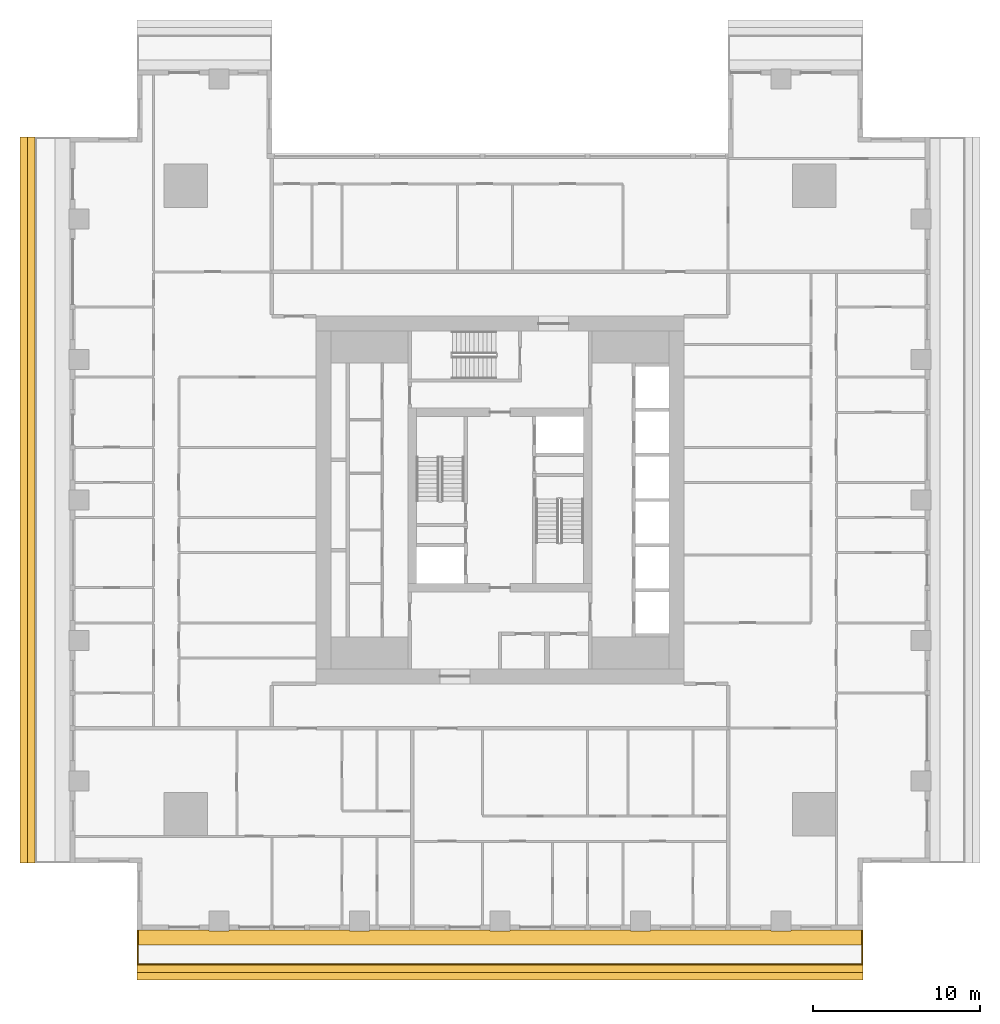
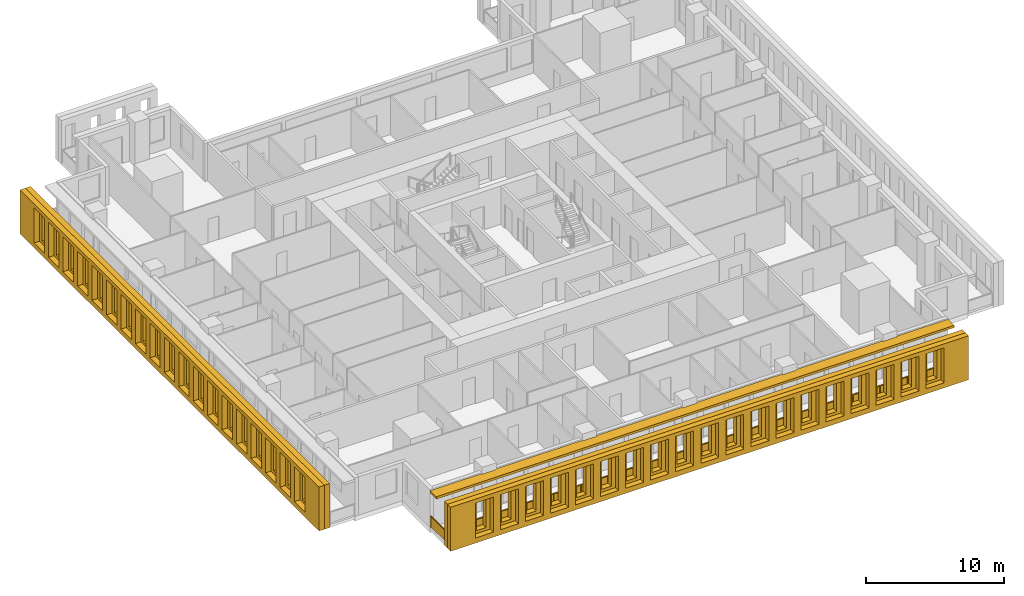
# One storey, part 11 of 16: 5 shading devices, 1 railing.
"""IFC4 building model written with IfcOpenShell, lengths in metres."""

from ifc_helpers import new_model, si_unit, direction, frame, origin, origin_2d, place, context, subcontext, project, spatial, polyline, rectangle, outline, extrude, material, layer, layer_set, type_object, element, save


model = new_model("IFC4")

# Units and contexts
model_context = context("Model", 3, precision=1e-05, world=origin(), true_north=direction((0.0, 1.0)))
body_context = subcontext(model_context, "Body", "Model", "MODEL_VIEW")
ifc_project = project(units=[si_unit("LENGTHUNIT", "METRE"), si_unit("AREAUNIT", "SQUARE_METRE"), si_unit("VOLUMEUNIT", "CUBIC_METRE"), si_unit("PLANEANGLEUNIT", "RADIAN"), si_unit("MASSUNIT", "GRAM", prefix="KILO")], contexts=[model_context])

# Site, building, storey
site_placement = place(None, origin())
site = spatial("IfcSite", under=ifc_project, at=site_placement, CompositionType="ELEMENT")
building_placement = place(site_placement, origin())
building = spatial("IfcBuilding", under=site, at=building_placement, Name="Khepri Terraces", CompositionType="ELEMENT")
storey_placement = place(building_placement, frame((0.0, 0.0, 176.699951171875)))
storey = spatial("IfcBuildingStorey", under=building, at=storey_placement, Name="L42", CompositionType="ELEMENT", Elevation=176.699951171875)

# Railing
ifc_material_1 = material(Name="Stainless steel grade 316", Category="steel")
railing_type = type_object("IfcRailingType", Name="GRD-BAL-1100", PredefinedType="GUARDRAIL", material=ifc_material_1)
railing_placement = place(storey_placement, frame((-21.669921875, -25.719970703125, 0.0)))
element("IfcRailing", 1, at=railing_placement, inside=storey, type_object=railing_type, Name="Balcony guard L42 S", PredefinedType="GUARDRAIL", context=body_context, shape_type="SweptSolid", body=[
    extrude(rectangle(XDim=0.050048828125, YDim=0.06005859375, at=origin_2d()), frame((0.0, 0.0, 1.070068359375), z_axis=(0.0, -1.0, 0.0), x_axis=(1.0, 0.0, 0.0)), (0.0, 0.0, 1.0), 2.050048828125),
    extrude(rectangle(XDim=2.0, YDim=0.011962890625, at=origin_2d()), frame((0.0, -1.02490234375, 0.10009765625), z_axis=(0.0, 0.0, 1.0), x_axis=(0.0, -1.0, 0.0)), (0.0, 0.0, 1.0), 0.93994140625),
    extrude(rectangle(XDim=0.050048828125, YDim=0.06005859375, at=origin_2d()), frame((0.0, -2.050048828125, 1.070068359375), z_axis=(1.0, 0.0, 0.0), x_axis=(0.0, 1.0, 0.0)), (0.0, 0.0, 1.0), 43.33984375),
    extrude(rectangle(XDim=2.23095703125, YDim=0.011962890625, at=origin_2d()), frame((1.140625, -2.050048828125, 0.10009765625), z_axis=(0.0, 0.0, 1.0), x_axis=(1.0, 0.0, 0.0)), (0.0, 0.0, 1.0), 0.93994140625),
    extrude(rectangle(XDim=2.23095703125, YDim=0.011962890625, at=origin_2d()), frame((3.421630859375, -2.050048828125, 0.10009765625), z_axis=(0.0, 0.0, 1.0), x_axis=(1.0, 0.0, 0.0)), (0.0, 0.0, 1.0), 0.93994140625),
    extrude(rectangle(XDim=2.23095703125, YDim=0.011962890625, at=origin_2d()), frame((5.70263671875, -2.050048828125, 0.10009765625), z_axis=(0.0, 0.0, 1.0), x_axis=(1.0, 0.0, 0.0)), (0.0, 0.0, 1.0), 0.93994140625),
    extrude(rectangle(XDim=2.23095703125, YDim=0.011962890625, at=origin_2d()), frame((7.983642578125, -2.050048828125, 0.10009765625), z_axis=(0.0, 0.0, 1.0), x_axis=(1.0, 0.0, 0.0)), (0.0, 0.0, 1.0), 0.93994140625),
    extrude(rectangle(XDim=2.23095703125, YDim=0.011962890625, at=origin_2d()), frame((10.2646484375, -2.050048828125, 0.10009765625), z_axis=(0.0, 0.0, 1.0), x_axis=(1.0, 0.0, 0.0)), (0.0, 0.0, 1.0), 0.93994140625),
    extrude(rectangle(XDim=2.23095703125, YDim=0.011962890625, at=origin_2d()), frame((12.545654296875, -2.050048828125, 0.10009765625), z_axis=(0.0, 0.0, 1.0), x_axis=(1.0, 0.0, 0.0)), (0.0, 0.0, 1.0), 0.93994140625),
    extrude(rectangle(XDim=2.23095703125, YDim=0.011962890625, at=origin_2d()), frame((14.826904296875, -2.050048828125, 0.10009765625), z_axis=(0.0, 0.0, 1.0), x_axis=(1.0, 0.0, 0.0)), (0.0, 0.0, 1.0), 0.93994140625),
    extrude(rectangle(XDim=2.23095703125, YDim=0.011962890625, at=origin_2d()), frame((17.10791015625, -2.050048828125, 0.10009765625), z_axis=(0.0, 0.0, 1.0), x_axis=(1.0, 0.0, 0.0)), (0.0, 0.0, 1.0), 0.93994140625),
    extrude(rectangle(XDim=2.23095703125, YDim=0.011962890625, at=origin_2d()), frame((19.388916015625, -2.050048828125, 0.10009765625), z_axis=(0.0, 0.0, 1.0), x_axis=(1.0, 0.0, 0.0)), (0.0, 0.0, 1.0), 0.93994140625),
    extrude(rectangle(XDim=2.23095703125, YDim=0.011962890625, at=origin_2d()), frame((21.669921875, -2.050048828125, 0.10009765625), z_axis=(0.0, 0.0, 1.0), x_axis=(1.0, 0.0, 0.0)), (0.0, 0.0, 1.0), 0.93994140625),
    extrude(rectangle(XDim=2.23095703125, YDim=0.011962890625, at=origin_2d()), frame((23.950927734375, -2.050048828125, 0.10009765625), z_axis=(0.0, 0.0, 1.0), x_axis=(1.0, 0.0, 0.0)), (0.0, 0.0, 1.0), 0.93994140625),
    extrude(rectangle(XDim=2.23095703125, YDim=0.011962890625, at=origin_2d()), frame((26.23193359375, -2.050048828125, 0.10009765625), z_axis=(0.0, 0.0, 1.0), x_axis=(1.0, 0.0, 0.0)), (0.0, 0.0, 1.0), 0.93994140625),
    extrude(rectangle(XDim=2.23095703125, YDim=0.011962890625, at=origin_2d()), frame((28.512939453125, -2.050048828125, 0.10009765625), z_axis=(0.0, 0.0, 1.0), x_axis=(1.0, 0.0, 0.0)), (0.0, 0.0, 1.0), 0.93994140625),
    extrude(rectangle(XDim=2.23095703125, YDim=0.011962890625, at=origin_2d()), frame((30.794189453125, -2.050048828125, 0.10009765625), z_axis=(0.0, 0.0, 1.0), x_axis=(1.0, 0.0, 0.0)), (0.0, 0.0, 1.0), 0.93994140625),
    extrude(rectangle(XDim=2.23095703125, YDim=0.011962890625, at=origin_2d()), frame((33.0751953125, -2.050048828125, 0.10009765625), z_axis=(0.0, 0.0, 1.0), x_axis=(1.0, 0.0, 0.0)), (0.0, 0.0, 1.0), 0.93994140625),
    extrude(rectangle(XDim=2.23095703125, YDim=0.011962890625, at=origin_2d()), frame((35.356201171875, -2.050048828125, 0.10009765625), z_axis=(0.0, 0.0, 1.0), x_axis=(1.0, 0.0, 0.0)), (0.0, 0.0, 1.0), 0.93994140625),
    extrude(rectangle(XDim=2.23095703125, YDim=0.011962890625, at=origin_2d()), frame((37.63720703125, -2.050048828125, 0.10009765625), z_axis=(0.0, 0.0, 1.0), x_axis=(1.0, 0.0, 0.0)), (0.0, 0.0, 1.0), 0.93994140625),
    extrude(rectangle(XDim=2.23095703125, YDim=0.011962890625, at=origin_2d()), frame((39.918212890625, -2.050048828125, 0.10009765625), z_axis=(0.0, 0.0, 1.0), x_axis=(1.0, 0.0, 0.0)), (0.0, 0.0, 1.0), 0.93994140625),
    extrude(rectangle(XDim=2.23095703125, YDim=0.011962890625, at=origin_2d()), frame((42.19921875, -2.050048828125, 0.10009765625), z_axis=(0.0, 0.0, 1.0), x_axis=(1.0, 0.0, 0.0)), (0.0, 0.0, 1.0), 0.93994140625),
    extrude(rectangle(XDim=0.050048828125, YDim=0.06005859375, at=origin_2d()), frame((43.33984375, -2.050048828125, 1.070068359375), z_axis=(0.0, 1.0, 0.0), x_axis=(-1.0, 0.0, 0.0)), (0.0, 0.0, 1.0), 2.050048828125),
    extrude(rectangle(XDim=2.0, YDim=0.011962890625, at=origin_2d()), frame((43.33984375, -1.02490234375, 0.10009765625), z_axis=(0.0, 0.0, 1.0), x_axis=(0.0, 1.0, 0.0)), (0.0, 0.0, 1.0), 0.93994140625),
    extrude(rectangle(XDim=0.050048828125, YDim=0.050048828125, at=origin_2d()), origin(), (0.0, 0.0, 1.0), 1.0400390625),
    extrude(rectangle(XDim=0.050048828125, YDim=0.050048828125, at=origin_2d()), frame((0.0, -2.050048828125, 0.0)), (0.0, 0.0, 1.0), 1.0400390625),
    extrude(rectangle(XDim=0.050048828125, YDim=0.050048828125, at=origin_2d()), frame((2.281005859375, -2.050048828125, 0.0)), (0.0, 0.0, 1.0), 1.0400390625),
    extrude(rectangle(XDim=0.050048828125, YDim=0.050048828125, at=origin_2d()), frame((4.56201171875, -2.050048828125, 0.0)), (0.0, 0.0, 1.0), 1.0400390625),
    extrude(rectangle(XDim=0.050048828125, YDim=0.050048828125, at=origin_2d()), frame((6.843017578125, -2.050048828125, 0.0)), (0.0, 0.0, 1.0), 1.0400390625),
    extrude(rectangle(XDim=0.050048828125, YDim=0.050048828125, at=origin_2d()), frame((9.124267578125, -2.050048828125, 0.0)), (0.0, 0.0, 1.0), 1.0400390625),
    extrude(rectangle(XDim=0.050048828125, YDim=0.050048828125, at=origin_2d()), frame((11.4052734375, -2.050048828125, 0.0)), (0.0, 0.0, 1.0), 1.0400390625),
    extrude(rectangle(XDim=0.050048828125, YDim=0.050048828125, at=origin_2d()), frame((13.686279296875, -2.050048828125, 0.0)), (0.0, 0.0, 1.0), 1.0400390625),
    extrude(rectangle(XDim=0.050048828125, YDim=0.050048828125, at=origin_2d()), frame((15.96728515625, -2.050048828125, 0.0)), (0.0, 0.0, 1.0), 1.0400390625),
    extrude(rectangle(XDim=0.050048828125, YDim=0.050048828125, at=origin_2d()), frame((18.248291015625, -2.050048828125, 0.0)), (0.0, 0.0, 1.0), 1.0400390625),
    extrude(rectangle(XDim=0.050048828125, YDim=0.050048828125, at=origin_2d()), frame((20.529296875, -2.050048828125, 0.0)), (0.0, 0.0, 1.0), 1.0400390625),
    extrude(rectangle(XDim=0.050048828125, YDim=0.050048828125, at=origin_2d()), frame((22.810546875, -2.050048828125, 0.0)), (0.0, 0.0, 1.0), 1.0400390625),
    extrude(rectangle(XDim=0.050048828125, YDim=0.050048828125, at=origin_2d()), frame((25.091552734375, -2.050048828125, 0.0)), (0.0, 0.0, 1.0), 1.0400390625),
    extrude(rectangle(XDim=0.050048828125, YDim=0.050048828125, at=origin_2d()), frame((27.37255859375, -2.050048828125, 0.0)), (0.0, 0.0, 1.0), 1.0400390625),
    extrude(rectangle(XDim=0.050048828125, YDim=0.050048828125, at=origin_2d()), frame((29.653564453125, -2.050048828125, 0.0)), (0.0, 0.0, 1.0), 1.0400390625),
    extrude(rectangle(XDim=0.050048828125, YDim=0.050048828125, at=origin_2d()), frame((31.9345703125, -2.050048828125, 0.0)), (0.0, 0.0, 1.0), 1.0400390625),
    extrude(rectangle(XDim=0.050048828125, YDim=0.050048828125, at=origin_2d()), frame((34.215576171875, -2.050048828125, 0.0)), (0.0, 0.0, 1.0), 1.0400390625),
    extrude(rectangle(XDim=0.050048828125, YDim=0.050048828125, at=origin_2d()), frame((36.496826171875, -2.050048828125, 0.0)), (0.0, 0.0, 1.0), 1.0400390625),
    extrude(rectangle(XDim=0.050048828125, YDim=0.050048828125, at=origin_2d()), frame((38.77783203125, -2.050048828125, 0.0)), (0.0, 0.0, 1.0), 1.0400390625),
    extrude(rectangle(XDim=0.050048828125, YDim=0.050048828125, at=origin_2d()), frame((41.058837890625, -2.050048828125, 0.0)), (0.0, 0.0, 1.0), 1.0400390625),
    extrude(rectangle(XDim=0.050048828125, YDim=0.050048828125, at=origin_2d()), frame((43.33984375, -2.050048828125, 0.0)), (0.0, 0.0, 1.0), 1.0400390625),
    extrude(rectangle(XDim=0.050048828125, YDim=0.050048828125, at=origin_2d()), frame((43.33984375, 0.0, 0.0)), (0.0, 0.0, 1.0), 1.0400390625),
])

# Shading devices
ifc_material_2 = material(Name="Precast concrete C50/60 warm stone", Category="masonry")
shading_device_type_1 = type_object("IfcShadingDeviceType", Name="SCR-CELL-INNER-450", PredefinedType="USERDEFINED", material=ifc_material_2)
shading_device_1_placement = place(storey_placement, frame((-21.719970703125, -27.820068359375, -0.25), z_axis=(0.0, -1.0, 0.0), x_axis=(1.0, 0.0, 0.0)))
element("IfcShadingDevice", 2, at=shading_device_1_placement, inside=storey, type_object=shading_device_type_1, Name="Cell screen L42 S in", ObjectType="SCREEN", PredefinedType="USERDEFINED", context=body_context, shape_type="SweptSolid", body=[
    extrude(outline(polyline([(0.0, 0.0), (43.43994140625, 0.0), (43.43994140625, 3.89990234375), (0.0, 3.89990234375), (0.0, 0.0)]), holes=[polyline([(0.318359375, 0.699951171875), (1.12158203125, 0.699951171875), (1.12158203125, 3.300048828125), (0.318359375, 3.300048828125), (0.318359375, 0.699951171875)]), polyline([(2.41845703125, 0.699951171875), (3.2216796875, 0.699951171875), (3.2216796875, 3.300048828125), (2.41845703125, 3.300048828125), (2.41845703125, 0.699951171875)]), polyline([(4.518310546875, 0.699951171875), (5.321533203125, 0.699951171875), (5.321533203125, 3.300048828125), (4.518310546875, 3.300048828125), (4.518310546875, 0.699951171875)]), polyline([(6.618408203125, 0.699951171875), (7.421630859375, 0.699951171875), (7.421630859375, 3.300048828125), (6.618408203125, 3.300048828125), (6.618408203125, 0.699951171875)]), polyline([(8.718505859375, 0.699951171875), (9.521484375, 0.699951171875), (9.521484375, 3.300048828125), (8.718505859375, 3.300048828125), (8.718505859375, 0.699951171875)]), polyline([(10.818359375, 0.699951171875), (11.62158203125, 0.699951171875), (11.62158203125, 3.300048828125), (10.818359375, 3.300048828125), (10.818359375, 0.699951171875)]), polyline([(12.91845703125, 0.699951171875), (13.7216796875, 0.699951171875), (13.7216796875, 3.300048828125), (12.91845703125, 3.300048828125), (12.91845703125, 0.699951171875)]), polyline([(15.018310546875, 0.699951171875), (15.821533203125, 0.699951171875), (15.821533203125, 3.300048828125), (15.018310546875, 3.300048828125), (15.018310546875, 0.699951171875)]), polyline([(17.118408203125, 0.699951171875), (17.921630859375, 0.699951171875), (17.921630859375, 3.300048828125), (17.118408203125, 3.300048828125), (17.118408203125, 0.699951171875)]), polyline([(19.218505859375, 0.699951171875), (20.021484375, 0.699951171875), (20.021484375, 3.300048828125), (19.218505859375, 3.300048828125), (19.218505859375, 0.699951171875)]), polyline([(21.318359375, 0.699951171875), (22.12158203125, 0.699951171875), (22.12158203125, 3.300048828125), (21.318359375, 3.300048828125), (21.318359375, 0.699951171875)]), polyline([(23.41845703125, 0.699951171875), (24.2216796875, 0.699951171875), (24.2216796875, 3.300048828125), (23.41845703125, 3.300048828125), (23.41845703125, 0.699951171875)]), polyline([(25.518310546875, 0.699951171875), (26.321533203125, 0.699951171875), (26.321533203125, 3.300048828125), (25.518310546875, 3.300048828125), (25.518310546875, 0.699951171875)]), polyline([(27.618408203125, 0.699951171875), (28.421630859375, 0.699951171875), (28.421630859375, 3.300048828125), (27.618408203125, 3.300048828125), (27.618408203125, 0.699951171875)]), polyline([(29.718505859375, 0.699951171875), (30.521484375, 0.699951171875), (30.521484375, 3.300048828125), (29.718505859375, 3.300048828125), (29.718505859375, 0.699951171875)]), polyline([(31.818359375, 0.699951171875), (32.62158203125, 0.699951171875), (32.62158203125, 3.300048828125), (31.818359375, 3.300048828125), (31.818359375, 0.699951171875)]), polyline([(33.91845703125, 0.699951171875), (34.7216796875, 0.699951171875), (34.7216796875, 3.300048828125), (33.91845703125, 3.300048828125), (33.91845703125, 0.699951171875)]), polyline([(36.018310546875, 0.699951171875), (36.821533203125, 0.699951171875), (36.821533203125, 3.300048828125), (36.018310546875, 3.300048828125), (36.018310546875, 0.699951171875)]), polyline([(38.118408203125, 0.699951171875), (38.921630859375, 0.699951171875), (38.921630859375, 3.300048828125), (38.118408203125, 3.300048828125), (38.118408203125, 0.699951171875)]), polyline([(40.218505859375, 0.699951171875), (41.021484375, 0.699951171875), (41.021484375, 3.300048828125), (40.218505859375, 3.300048828125), (40.218505859375, 0.699951171875)]), polyline([(42.318359375, 0.699951171875), (43.12158203125, 0.699951171875), (43.12158203125, 3.300048828125), (42.318359375, 3.300048828125), (42.318359375, 0.699951171875)])]), origin(), (0.0, 0.0, 1.0), 0.449951171875),
])
shading_device_2_placement = place(storey_placement, frame((-27.820068359375, 21.719970703125, -0.25), z_axis=(-1.0, 0.0, 0.0), x_axis=(0.0, -1.0, 0.0)))
element("IfcShadingDevice", 3, at=shading_device_2_placement, inside=storey, type_object=shading_device_type_1, Name="Cell screen L42 W in", ObjectType="SCREEN", PredefinedType="USERDEFINED", context=body_context, shape_type="SweptSolid", body=[
    extrude(outline(polyline([(0.0, 0.0), (43.43994140625, 0.0), (43.43994140625, 3.89990234375), (0.0, 3.89990234375), (0.0, 0.0)]), holes=[polyline([(0.318359375, 0.699951171875), (1.12158203125, 0.699951171875), (1.12158203125, 3.300048828125), (0.318359375, 3.300048828125), (0.318359375, 0.699951171875)]), polyline([(2.41845703125, 0.699951171875), (3.2216796875, 0.699951171875), (3.2216796875, 3.300048828125), (2.41845703125, 3.300048828125), (2.41845703125, 0.699951171875)]), polyline([(4.518310546875, 0.699951171875), (5.321533203125, 0.699951171875), (5.321533203125, 3.300048828125), (4.518310546875, 3.300048828125), (4.518310546875, 0.699951171875)]), polyline([(6.618408203125, 0.699951171875), (7.421630859375, 0.699951171875), (7.421630859375, 3.300048828125), (6.618408203125, 3.300048828125), (6.618408203125, 0.699951171875)]), polyline([(8.718505859375, 0.699951171875), (9.521484375, 0.699951171875), (9.521484375, 3.300048828125), (8.718505859375, 3.300048828125), (8.718505859375, 0.699951171875)]), polyline([(10.818359375, 0.699951171875), (11.62158203125, 0.699951171875), (11.62158203125, 3.300048828125), (10.818359375, 3.300048828125), (10.818359375, 0.699951171875)]), polyline([(12.91845703125, 0.699951171875), (13.7216796875, 0.699951171875), (13.7216796875, 3.300048828125), (12.91845703125, 3.300048828125), (12.91845703125, 0.699951171875)]), polyline([(15.018310546875, 0.699951171875), (15.821533203125, 0.699951171875), (15.821533203125, 3.300048828125), (15.018310546875, 3.300048828125), (15.018310546875, 0.699951171875)]), polyline([(17.118408203125, 0.699951171875), (17.921630859375, 0.699951171875), (17.921630859375, 3.300048828125), (17.118408203125, 3.300048828125), (17.118408203125, 0.699951171875)]), polyline([(19.218505859375, 0.699951171875), (20.021484375, 0.699951171875), (20.021484375, 3.300048828125), (19.218505859375, 3.300048828125), (19.218505859375, 0.699951171875)]), polyline([(21.318359375, 0.699951171875), (22.12158203125, 0.699951171875), (22.12158203125, 3.300048828125), (21.318359375, 3.300048828125), (21.318359375, 0.699951171875)]), polyline([(23.41845703125, 0.699951171875), (24.2216796875, 0.699951171875), (24.2216796875, 3.300048828125), (23.41845703125, 3.300048828125), (23.41845703125, 0.699951171875)]), polyline([(25.518310546875, 0.699951171875), (26.321533203125, 0.699951171875), (26.321533203125, 3.300048828125), (25.518310546875, 3.300048828125), (25.518310546875, 0.699951171875)]), polyline([(27.618408203125, 0.699951171875), (28.421630859375, 0.699951171875), (28.421630859375, 3.300048828125), (27.618408203125, 3.300048828125), (27.618408203125, 0.699951171875)]), polyline([(29.718505859375, 0.699951171875), (30.521484375, 0.699951171875), (30.521484375, 3.300048828125), (29.718505859375, 3.300048828125), (29.718505859375, 0.699951171875)]), polyline([(31.818359375, 0.699951171875), (32.62158203125, 0.699951171875), (32.62158203125, 3.300048828125), (31.818359375, 3.300048828125), (31.818359375, 0.699951171875)]), polyline([(33.91845703125, 0.699951171875), (34.7216796875, 0.699951171875), (34.7216796875, 3.300048828125), (33.91845703125, 3.300048828125), (33.91845703125, 0.699951171875)]), polyline([(36.018310546875, 0.699951171875), (36.821533203125, 0.699951171875), (36.821533203125, 3.300048828125), (36.018310546875, 3.300048828125), (36.018310546875, 0.699951171875)]), polyline([(38.118408203125, 0.699951171875), (38.921630859375, 0.699951171875), (38.921630859375, 3.300048828125), (38.118408203125, 3.300048828125), (38.118408203125, 0.699951171875)]), polyline([(40.218505859375, 0.699951171875), (41.021484375, 0.699951171875), (41.021484375, 3.300048828125), (40.218505859375, 3.300048828125), (40.218505859375, 0.699951171875)]), polyline([(42.318359375, 0.699951171875), (43.12158203125, 0.699951171875), (43.12158203125, 3.300048828125), (42.318359375, 3.300048828125), (42.318359375, 0.699951171875)])]), origin(), (0.0, 0.0, 1.0), 0.449951171875),
])
shading_device_type_2 = type_object("IfcShadingDeviceType", Name="SCR-CELL-OUTER-450", PredefinedType="USERDEFINED", material=ifc_material_2)
shading_device_3_placement = place(storey_placement, frame((-21.719970703125, -28.27001953125, -0.25), z_axis=(0.0, -1.0, 0.0), x_axis=(1.0, 0.0, 0.0)))
element("IfcShadingDevice", 4, at=shading_device_3_placement, inside=storey, type_object=shading_device_type_2, Name="Cell screen L42 S out", ObjectType="SCREEN", PredefinedType="USERDEFINED", context=body_context, shape_type="SweptSolid", body=[
    extrude(outline(polyline([(0.0, 0.0), (43.43994140625, 0.0), (43.43994140625, 3.89990234375), (0.0, 3.89990234375), (0.0, 0.0)]), holes=[polyline([(2.068359375, 0.449951171875), (3.571533203125, 0.449951171875), (3.571533203125, 3.550048828125), (2.068359375, 3.550048828125), (2.068359375, 0.449951171875)]), polyline([(4.16845703125, 0.449951171875), (5.671630859375, 0.449951171875), (5.671630859375, 3.550048828125), (4.16845703125, 3.550048828125), (4.16845703125, 0.449951171875)]), polyline([(6.268310546875, 0.449951171875), (7.771484375, 0.449951171875), (7.771484375, 3.550048828125), (6.268310546875, 3.550048828125), (6.268310546875, 0.449951171875)]), polyline([(8.368408203125, 0.449951171875), (9.87158203125, 0.449951171875), (9.87158203125, 3.550048828125), (8.368408203125, 3.550048828125), (8.368408203125, 0.449951171875)]), polyline([(10.468505859375, 0.449951171875), (11.9716796875, 0.449951171875), (11.9716796875, 3.550048828125), (10.468505859375, 3.550048828125), (10.468505859375, 0.449951171875)]), polyline([(12.568359375, 0.449951171875), (14.071533203125, 0.449951171875), (14.071533203125, 3.550048828125), (12.568359375, 3.550048828125), (12.568359375, 0.449951171875)]), polyline([(14.66845703125, 0.449951171875), (16.171630859375, 0.449951171875), (16.171630859375, 3.550048828125), (14.66845703125, 3.550048828125), (14.66845703125, 0.449951171875)]), polyline([(16.768310546875, 0.449951171875), (18.271484375, 0.449951171875), (18.271484375, 3.550048828125), (16.768310546875, 3.550048828125), (16.768310546875, 0.449951171875)]), polyline([(18.868408203125, 0.449951171875), (20.37158203125, 0.449951171875), (20.37158203125, 3.550048828125), (18.868408203125, 3.550048828125), (18.868408203125, 0.449951171875)]), polyline([(20.968505859375, 0.449951171875), (22.4716796875, 0.449951171875), (22.4716796875, 3.550048828125), (20.968505859375, 3.550048828125), (20.968505859375, 0.449951171875)]), polyline([(23.068359375, 0.449951171875), (24.571533203125, 0.449951171875), (24.571533203125, 3.550048828125), (23.068359375, 3.550048828125), (23.068359375, 0.449951171875)]), polyline([(25.16845703125, 0.449951171875), (26.671630859375, 0.449951171875), (26.671630859375, 3.550048828125), (25.16845703125, 3.550048828125), (25.16845703125, 0.449951171875)]), polyline([(27.268310546875, 0.449951171875), (28.771484375, 0.449951171875), (28.771484375, 3.550048828125), (27.268310546875, 3.550048828125), (27.268310546875, 0.449951171875)]), polyline([(29.368408203125, 0.449951171875), (30.87158203125, 0.449951171875), (30.87158203125, 3.550048828125), (29.368408203125, 3.550048828125), (29.368408203125, 0.449951171875)]), polyline([(31.468505859375, 0.449951171875), (32.9716796875, 0.449951171875), (32.9716796875, 3.550048828125), (31.468505859375, 3.550048828125), (31.468505859375, 0.449951171875)]), polyline([(33.568359375, 0.449951171875), (35.071533203125, 0.449951171875), (35.071533203125, 3.550048828125), (33.568359375, 3.550048828125), (33.568359375, 0.449951171875)]), polyline([(35.66845703125, 0.449951171875), (37.171630859375, 0.449951171875), (37.171630859375, 3.550048828125), (35.66845703125, 3.550048828125), (35.66845703125, 0.449951171875)]), polyline([(37.768310546875, 0.449951171875), (39.271484375, 0.449951171875), (39.271484375, 3.550048828125), (37.768310546875, 3.550048828125), (37.768310546875, 0.449951171875)]), polyline([(39.868408203125, 0.449951171875), (41.37158203125, 0.449951171875), (41.37158203125, 3.550048828125), (39.868408203125, 3.550048828125), (39.868408203125, 0.449951171875)])]), origin(), (0.0, 0.0, 1.0), 0.449951171875),
])
shading_device_4_placement = place(storey_placement, frame((-28.27001953125, 21.719970703125, -0.25), z_axis=(-1.0, 0.0, 0.0), x_axis=(0.0, -1.0, 0.0)))
element("IfcShadingDevice", 5, at=shading_device_4_placement, inside=storey, type_object=shading_device_type_2, Name="Cell screen L42 W out", ObjectType="SCREEN", PredefinedType="USERDEFINED", context=body_context, shape_type="SweptSolid", body=[
    extrude(outline(polyline([(0.0, 0.0), (43.43994140625, 0.0), (43.43994140625, 3.89990234375), (0.0, 3.89990234375), (0.0, 0.0)]), holes=[polyline([(2.068359375, 0.449951171875), (3.571533203125, 0.449951171875), (3.571533203125, 3.550048828125), (2.068359375, 3.550048828125), (2.068359375, 0.449951171875)]), polyline([(4.16845703125, 0.449951171875), (5.671630859375, 0.449951171875), (5.671630859375, 3.550048828125), (4.16845703125, 3.550048828125), (4.16845703125, 0.449951171875)]), polyline([(6.268310546875, 0.449951171875), (7.771484375, 0.449951171875), (7.771484375, 3.550048828125), (6.268310546875, 3.550048828125), (6.268310546875, 0.449951171875)]), polyline([(8.368408203125, 0.449951171875), (9.87158203125, 0.449951171875), (9.87158203125, 3.550048828125), (8.368408203125, 3.550048828125), (8.368408203125, 0.449951171875)]), polyline([(10.468505859375, 0.449951171875), (11.9716796875, 0.449951171875), (11.9716796875, 3.550048828125), (10.468505859375, 3.550048828125), (10.468505859375, 0.449951171875)]), polyline([(12.568359375, 0.449951171875), (14.071533203125, 0.449951171875), (14.071533203125, 3.550048828125), (12.568359375, 3.550048828125), (12.568359375, 0.449951171875)]), polyline([(14.66845703125, 0.449951171875), (16.171630859375, 0.449951171875), (16.171630859375, 3.550048828125), (14.66845703125, 3.550048828125), (14.66845703125, 0.449951171875)]), polyline([(16.768310546875, 0.449951171875), (18.271484375, 0.449951171875), (18.271484375, 3.550048828125), (16.768310546875, 3.550048828125), (16.768310546875, 0.449951171875)]), polyline([(18.868408203125, 0.449951171875), (20.37158203125, 0.449951171875), (20.37158203125, 3.550048828125), (18.868408203125, 3.550048828125), (18.868408203125, 0.449951171875)]), polyline([(20.968505859375, 0.449951171875), (22.4716796875, 0.449951171875), (22.4716796875, 3.550048828125), (20.968505859375, 3.550048828125), (20.968505859375, 0.449951171875)]), polyline([(23.068359375, 0.449951171875), (24.571533203125, 0.449951171875), (24.571533203125, 3.550048828125), (23.068359375, 3.550048828125), (23.068359375, 0.449951171875)]), polyline([(25.16845703125, 0.449951171875), (26.671630859375, 0.449951171875), (26.671630859375, 3.550048828125), (25.16845703125, 3.550048828125), (25.16845703125, 0.449951171875)]), polyline([(27.268310546875, 0.449951171875), (28.771484375, 0.449951171875), (28.771484375, 3.550048828125), (27.268310546875, 3.550048828125), (27.268310546875, 0.449951171875)]), polyline([(29.368408203125, 0.449951171875), (30.87158203125, 0.449951171875), (30.87158203125, 3.550048828125), (29.368408203125, 3.550048828125), (29.368408203125, 0.449951171875)]), polyline([(31.468505859375, 0.449951171875), (32.9716796875, 0.449951171875), (32.9716796875, 3.550048828125), (31.468505859375, 3.550048828125), (31.468505859375, 0.449951171875)]), polyline([(33.568359375, 0.449951171875), (35.071533203125, 0.449951171875), (35.071533203125, 3.550048828125), (33.568359375, 3.550048828125), (33.568359375, 0.449951171875)]), polyline([(35.66845703125, 0.449951171875), (37.171630859375, 0.449951171875), (37.171630859375, 3.550048828125), (35.66845703125, 3.550048828125), (35.66845703125, 0.449951171875)]), polyline([(37.768310546875, 0.449951171875), (39.271484375, 0.449951171875), (39.271484375, 3.550048828125), (37.768310546875, 3.550048828125), (37.768310546875, 0.449951171875)]), polyline([(39.868408203125, 0.449951171875), (41.37158203125, 0.449951171875), (41.37158203125, 3.550048828125), (39.868408203125, 3.550048828125), (39.868408203125, 0.449951171875)])]), origin(), (0.0, 0.0, 1.0), 0.449951171875),
])
ifc_layer = layer(ifc_material_2, 0.199951171875, Name="Precast concrete C50/60 warm stone", Category="masonry")
ifc_layer_set = layer_set([ifc_layer], Name="Precast concrete C50/60 warm stone")
shading_device_type_3 = type_object("IfcShadingDeviceType", Name="SSH-BAND-STONE-200", PredefinedType="USERDEFINED", material=ifc_layer_set)
shading_device_5_placement = place(storey_placement, frame((0.0, 0.0, 3.10009765625)))
element("IfcShadingDevice", 6, at=shading_device_5_placement, inside=storey, type_object=shading_device_type_3, Name="Sunshade band L42 S", ObjectType="SUNSHADE", PredefinedType="USERDEFINED", context=body_context, shape_type="SweptSolid", body=[
    extrude(outline(polyline([(-17.39990234375, -25.719970703125), (-21.719970703125, -25.719970703125), (-21.719970703125, -26.6201171875), (21.719970703125, -26.6201171875), (21.719970703125, -25.719970703125), (17.39990234375, -25.719970703125), (17.39990234375, -25.800048828125), (16.199951171875, -25.800048828125), (16.199951171875, -25.719970703125), (9.0, -25.719970703125), (9.0, -25.800048828125), (7.800048828125, -25.800048828125), (7.800048828125, -25.719970703125), (0.60009765625, -25.719970703125), (0.60009765625, -25.800048828125), (-0.60009765625, -25.800048828125), (-0.60009765625, -25.719970703125), (-7.800048828125, -25.719970703125), (-7.800048828125, -25.800048828125), (-9.0, -25.800048828125), (-9.0, -25.719970703125), (-16.199951171875, -25.719970703125), (-16.199951171875, -25.800048828125), (-17.39990234375, -25.800048828125), (-17.39990234375, -25.719970703125)])), origin(), (0.0, 0.0, 1.0), 0.199951171875),
])

save(model, "model.ifc")
